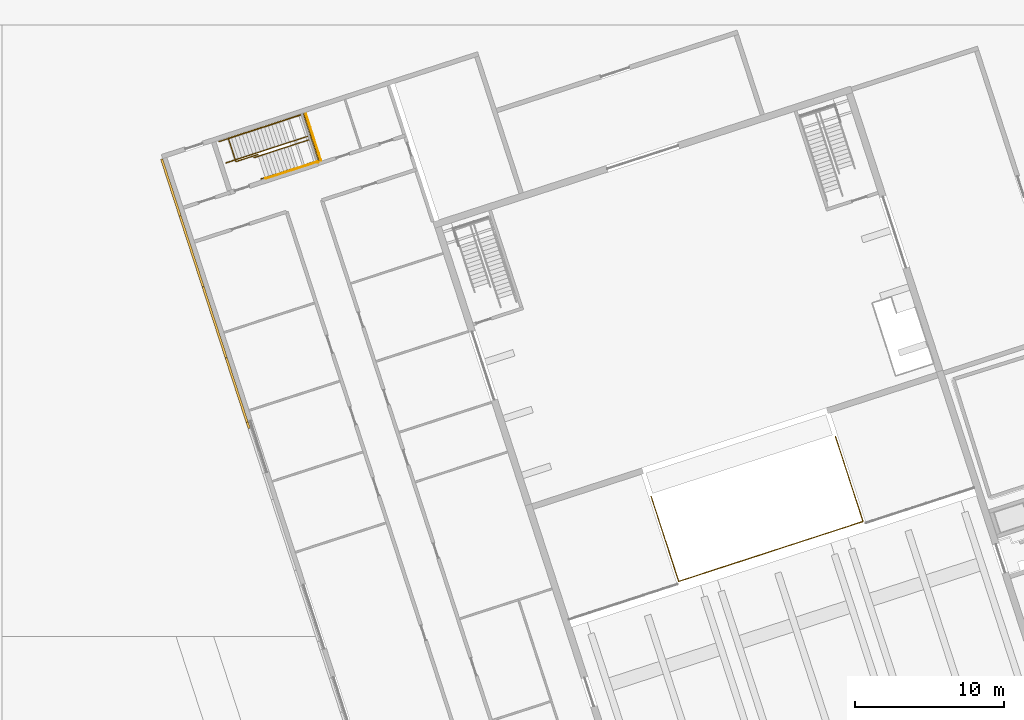
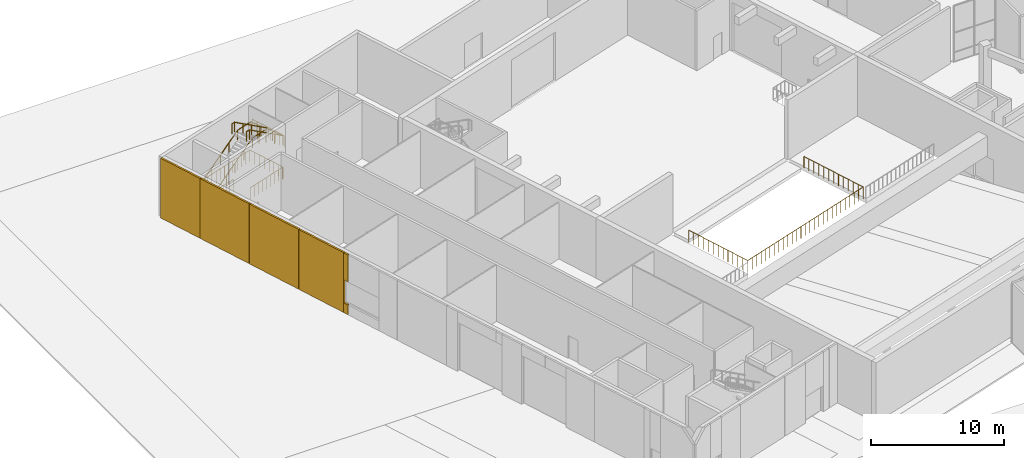
# One storey, part 66 of 72: 6 coverings, 6 railings.
"""IFC4 building model written with IfcOpenShell, lengths in metres."""

from ifc_helpers import new_model, si_unit, direction, frame, origin, origin_2d, place, context, subcontext, project, spatial, polyline, circle, outline, extrude, material, layer, layer_set, type_object, element, save


model = new_model("IFC4")

# Units and contexts
model_context = context("Model", 3, precision=1e-05, world=origin(), true_north=direction((0.0, 1.0)))
body_context = subcontext(model_context, "Body", "Model", "MODEL_VIEW")
ifc_project = project(units=[si_unit("LENGTHUNIT", "METRE"), si_unit("AREAUNIT", "SQUARE_METRE"), si_unit("VOLUMEUNIT", "CUBIC_METRE"), si_unit("PLANEANGLEUNIT", "RADIAN"), si_unit("MASSUNIT", "GRAM", prefix="KILO")], contexts=[model_context])

# Site, building, storey
site_placement = place(None, origin())
site = spatial("IfcSite", under=ifc_project, at=site_placement, CompositionType="ELEMENT")
building_placement = place(site_placement, origin())
building = spatial("IfcBuilding", under=site, at=building_placement, Name="Tuart Plaza Theatre", CompositionType="ELEMENT")
storey_placement = place(building_placement, origin())
storey = spatial("IfcBuildingStorey", under=building, at=storey_placement, Name="L00", CompositionType="ELEMENT", Elevation=0.0)

# Coverings
ifc_material_1 = material(Name="Zinc")
ifc_layer = layer(ifc_material_1, 0.14990234375)
ifc_layer_set = layer_set([ifc_layer], Name="COVERING-ZINC-RAINSCREEN150")
covering_type = type_object("IfcCoveringType", Name="COVERING-ZINC-RAINSCREEN150", PredefinedType="CLADDING", material=ifc_layer_set)
covering_1_placement = place(storey_placement, origin())
element("IfcCovering", 1, at=covering_1_placement, inside=storey, type_object=covering_type, Name="CL121", PredefinedType="CLADDING", context=body_context, shape_type="SweptSolid", body=[
    extrude(outline(polyline([(22.489501953125, 73.921142578125), (22.353515625, 74.339599609375), (22.49609375, 74.385986328125), (22.632080078125, 73.96728515625), (22.489501953125, 73.921142578125)])), origin(), (0.0, 0.0, 1.0), 0.89990234375),
])
covering_2_placement = place(storey_placement, frame((0.0, 0.0, 3.0)))
element("IfcCovering", 2, at=covering_2_placement, inside=storey, type_object=covering_type, Name="CL122", PredefinedType="CLADDING", context=body_context, shape_type="SweptSolid", body=[
    extrude(outline(polyline([(22.489501953125, 73.921142578125), (22.353515625, 74.339599609375), (22.49609375, 74.385986328125), (22.632080078125, 73.96728515625), (22.489501953125, 73.921142578125)])), origin(), (0.0, 0.0, 1.0), 2.5),
])
covering_3_placement = place(storey_placement, origin())
element("IfcCovering", 3, at=covering_3_placement, inside=storey, type_object=covering_type, Name="CL123", PredefinedType="CLADDING", context=body_context, shape_type="SweptSolid", body=[
    extrude(outline(polyline([(22.353515625, 74.339599609375), (20.950439453125, 78.6572265625), (21.093017578125, 78.70361328125), (22.49609375, 74.385986328125), (22.353515625, 74.339599609375)])), origin(), (0.0, 0.0, 1.0), 5.5),
])
covering_4_placement = place(storey_placement, origin())
element("IfcCovering", 4, at=covering_4_placement, inside=storey, type_object=covering_type, Name="CL124", PredefinedType="CLADDING", context=body_context, shape_type="SweptSolid", body=[
    extrude(outline(polyline([(20.9443359375, 78.676513671875), (19.405517578125, 83.41259765625), (19.548095703125, 83.458984375), (21.0869140625, 78.72265625), (20.9443359375, 78.676513671875)])), origin(), (0.0, 0.0, 1.0), 5.5),
])
covering_5_placement = place(storey_placement, origin())
element("IfcCovering", 5, at=covering_5_placement, inside=storey, type_object=covering_type, Name="CL125", PredefinedType="CLADDING", context=body_context, shape_type="SweptSolid", body=[
    extrude(outline(polyline([(19.399169921875, 83.431640625), (17.8603515625, 88.16796875), (18.0029296875, 88.21435546875), (19.5419921875, 83.47802734375), (19.399169921875, 83.431640625)])), origin(), (0.0, 0.0, 1.0), 5.5),
])
covering_6_placement = place(storey_placement, origin())
element("IfcCovering", 6, at=covering_6_placement, inside=storey, type_object=covering_type, Name="CL126", PredefinedType="CLADDING", context=body_context, shape_type="SweptSolid", body=[
    extrude(outline(polyline([(17.85400390625, 88.18701171875), (16.62109375, 91.981689453125), (16.763916015625, 92.028076171875), (17.996826171875, 88.2333984375), (17.85400390625, 88.18701171875)])), origin(), (0.0, 0.0, 1.0), 5.5),
])

# Railings
ifc_material_2 = material(Name="Steel Grade C350L0", Category="steel")
railing_type_1 = type_object("IfcRailingType", Name="RAILING Guard 1100", PredefinedType="GUARDRAIL", material=ifc_material_2)
railing_1_placement = place(storey_placement, frame((27.197265625, 91.79248046875, 0.0)))
element("IfcRailing", 7, at=railing_1_placement, inside=storey, type_object=railing_type_1, Name="GR22", PredefinedType="GUARDRAIL", context=body_context, shape_type="SweptSolid", body=[
    extrude(circle(Radius=0.02490234375, at=origin_2d()), frame((0.0, 0.0, 1.0751953125), z_axis=(-0.951570542877, -0.307430483083, 0.0), x_axis=(0.307430483083, -0.951570542877, 0.0)), (0.0, 0.0, 1.0), 0.050048828125),
    extrude(circle(Radius=0.02490234375, at=origin_2d()), frame((-0.047607421875, -0.015380859375, 1.0751953125), z_axis=(-0.310120496179, 0.950697258779, 0.0), x_axis=(-0.950697258779, -0.310120496179, 0.0)), (0.0, 0.0, 1.0), 0.048095703125),
    extrude(circle(Radius=0.02490234375, at=origin_2d()), frame((-0.0625, 0.0302734375, 1.0751953125), z_axis=(-0.9510439537, -0.309055655393, 0.0), x_axis=(0.309055655393, -0.9510439537, 0.0)), (0.0, 0.0, 1.0), 3.6298828125),
    extrude(circle(Radius=0.02490234375, at=origin_2d()), frame((-3.5146484375, -1.091552734375, 1.0751953125), z_axis=(-0.316227766017, 0.948683298051, 0.0), x_axis=(-0.948683298051, -0.316227766017, 0.0)), (0.0, 0.0, 1.0), 0.02001953125),
    extrude(circle(Radius=0.02001953125, at=origin_2d()), origin(), (0.0, 0.0, 1.0), 1.050048828125),
    extrude(circle(Radius=0.02001953125, at=origin_2d()), frame((-0.047607421875, -0.015380859375, 0.0)), (0.0, 0.0, 1.0), 1.050048828125),
    extrude(circle(Radius=0.02001953125, at=origin_2d()), frame((-0.0625, 0.0302734375, 0.0)), (0.0, 0.0, 1.0), 1.050048828125),
    extrude(circle(Radius=0.02001953125, at=origin_2d()), frame((-0.494140625, -0.10986328125, 0.0)), (0.0, 0.0, 1.0), 1.050048828125),
    extrude(circle(Radius=0.02001953125, at=origin_2d()), frame((-0.925537109375, -0.250244140625, 0.0)), (0.0, 0.0, 1.0), 1.050048828125),
    extrude(circle(Radius=0.02001953125, at=origin_2d()), frame((-1.35693359375, -0.390380859375, 0.0)), (0.0, 0.0, 1.0), 1.050048828125),
    extrude(circle(Radius=0.02001953125, at=origin_2d()), frame((-1.78857421875, -0.53076171875, 0.0)), (0.0, 0.0, 1.0), 1.050048828125),
    extrude(circle(Radius=0.02001953125, at=origin_2d()), frame((-2.22021484375, -0.6708984375, 0.0)), (0.0, 0.0, 1.0), 1.050048828125),
    extrude(circle(Radius=0.02001953125, at=origin_2d()), frame((-2.651611328125, -0.81103515625, 0.0)), (0.0, 0.0, 1.0), 1.050048828125),
    extrude(circle(Radius=0.02001953125, at=origin_2d()), frame((-3.0830078125, -0.951416015625, 0.0)), (0.0, 0.0, 1.0), 1.050048828125),
    extrude(circle(Radius=0.02001953125, at=origin_2d()), frame((-3.5146484375, -1.091552734375, 0.0)), (0.0, 0.0, 1.0), 1.050048828125),
    extrude(circle(Radius=0.02001953125, at=origin_2d()), frame((-3.52099609375, -1.072509765625, 0.0)), (0.0, 0.0, 1.0), 1.050048828125),
])
railing_2_placement = place(storey_placement, frame((23.15234375, 92.316162109375, 0.0)))
element("IfcRailing", 8, at=railing_2_placement, inside=storey, type_object=railing_type_1, Name="GR23", PredefinedType="GUARDRAIL", context=body_context, shape_type="SweptSolid", body=[
    extrude(circle(Radius=0.02490234375, at=origin_2d()), frame((0.0, 0.0, 1.0751953125), z_axis=(-0.951058297536, -0.309011512226, 0.0), x_axis=(0.309011512226, -0.951058297536, 0.0)), (0.0, 0.0, 1.0), 1.554931640625),
    extrude(circle(Radius=0.02490234375, at=origin_2d()), frame((-1.478759765625, -0.48046875, 1.0751953125), z_axis=(-0.309072690513, 0.95103841772, 0.0), x_axis=(-0.95103841772, -0.309072690513, 0.0)), (0.0, 0.0, 1.0), 1.650146484375),
    extrude(circle(Radius=0.02490234375, at=origin_2d()), frame((-1.98876953125, 1.0888671875, 1.0751953125), z_axis=(0.951050844106, 0.309034451034, 0.0), x_axis=(-0.309034451034, 0.951050844106, 0.0)), (0.0, 0.0, 1.0), 5.240234375),
    extrude(circle(Radius=0.02490234375, at=origin_2d()), frame((2.994873046875, 2.708251953125, 1.0751953125), z_axis=(0.308998348193, -0.951062574605, 0.0), x_axis=(0.951062574605, 0.308998348193, 0.0)), (0.0, 0.0, 1.0), 3.398193359375),
    extrude(circle(Radius=0.02001953125, at=origin_2d()), origin(), (0.0, 0.0, 1.0), 1.050048828125),
    extrude(circle(Radius=0.02001953125, at=origin_2d()), frame((-0.36962890625, -0.1201171875, 0.0)), (0.0, 0.0, 1.0), 1.050048828125),
    extrude(circle(Radius=0.02001953125, at=origin_2d()), frame((-0.7392578125, -0.240234375, 0.0)), (0.0, 0.0, 1.0), 1.050048828125),
    extrude(circle(Radius=0.02001953125, at=origin_2d()), frame((-1.109130859375, -0.3603515625, 0.0)), (0.0, 0.0, 1.0), 1.050048828125),
    extrude(circle(Radius=0.02001953125, at=origin_2d()), frame((-1.478759765625, -0.48046875, 0.0)), (0.0, 0.0, 1.0), 1.050048828125),
    extrude(circle(Radius=0.02001953125, at=origin_2d()), frame((-1.606201171875, -0.088134765625, 0.0)), (0.0, 0.0, 1.0), 1.050048828125),
    extrude(circle(Radius=0.02001953125, at=origin_2d()), frame((-1.73388671875, 0.30419921875, 0.0)), (0.0, 0.0, 1.0), 1.050048828125),
    extrude(circle(Radius=0.02001953125, at=origin_2d()), frame((-1.861328125, 0.696533203125, 0.0)), (0.0, 0.0, 1.0), 1.050048828125),
    extrude(circle(Radius=0.02001953125, at=origin_2d()), frame((-1.98876953125, 1.0888671875, 0.0)), (0.0, 0.0, 1.0), 1.050048828125),
    extrude(circle(Radius=0.02001953125, at=origin_2d()), frame((-1.53564453125, 1.236083984375, 0.0)), (0.0, 0.0, 1.0), 1.050048828125),
    extrude(circle(Radius=0.02001953125, at=origin_2d()), frame((-1.082763671875, 1.38330078125, 0.0)), (0.0, 0.0, 1.0), 1.050048828125),
    extrude(circle(Radius=0.02001953125, at=origin_2d()), frame((-0.629638671875, 1.530517578125, 0.0)), (0.0, 0.0, 1.0), 1.050048828125),
    extrude(circle(Radius=0.02001953125, at=origin_2d()), frame((-0.176513671875, 1.677734375, 0.0)), (0.0, 0.0, 1.0), 1.050048828125),
    extrude(circle(Radius=0.02001953125, at=origin_2d()), frame((0.276611328125, 1.824951171875, 0.0)), (0.0, 0.0, 1.0), 1.050048828125),
    extrude(circle(Radius=0.02001953125, at=origin_2d()), frame((0.7294921875, 1.97216796875, 0.0)), (0.0, 0.0, 1.0), 1.050048828125),
    extrude(circle(Radius=0.02001953125, at=origin_2d()), frame((1.1826171875, 2.119384765625, 0.0)), (0.0, 0.0, 1.0), 1.050048828125),
    extrude(circle(Radius=0.02001953125, at=origin_2d()), frame((1.6357421875, 2.2666015625, 0.0)), (0.0, 0.0, 1.0), 1.050048828125),
    extrude(circle(Radius=0.02001953125, at=origin_2d()), frame((2.0888671875, 2.413818359375, 0.0)), (0.0, 0.0, 1.0), 1.050048828125),
    extrude(circle(Radius=0.02001953125, at=origin_2d()), frame((2.541748046875, 2.56103515625, 0.0)), (0.0, 0.0, 1.0), 1.050048828125),
    extrude(circle(Radius=0.02001953125, at=origin_2d()), frame((2.994873046875, 2.708251953125, 0.0)), (0.0, 0.0, 1.0), 1.050048828125),
    extrude(circle(Radius=0.02001953125, at=origin_2d()), frame((3.144775390625, 2.24658203125, 0.0)), (0.0, 0.0, 1.0), 1.050048828125),
    extrude(circle(Radius=0.02001953125, at=origin_2d()), frame((3.294921875, 1.784912109375, 0.0)), (0.0, 0.0, 1.0), 1.050048828125),
    extrude(circle(Radius=0.02001953125, at=origin_2d()), frame((3.44482421875, 1.3232421875, 0.0)), (0.0, 0.0, 1.0), 1.050048828125),
    extrude(circle(Radius=0.02001953125, at=origin_2d()), frame((3.594970703125, 0.861328125, 0.0)), (0.0, 0.0, 1.0), 1.050048828125),
    extrude(circle(Radius=0.02001953125, at=origin_2d()), frame((3.744873046875, 0.399658203125, 0.0)), (0.0, 0.0, 1.0), 1.050048828125),
    extrude(circle(Radius=0.02001953125, at=origin_2d()), frame((3.89501953125, -0.06201171875, 0.0)), (0.0, 0.0, 1.0), 1.050048828125),
    extrude(circle(Radius=0.02001953125, at=origin_2d()), frame((4.044921875, -0.523681640625, 0.0)), (0.0, 0.0, 1.0), 1.050048828125),
])
railing_3_placement = place(storey_placement, frame((26.368408203125, 95.0224609375, 2.75)))
element("IfcRailing", 9, at=railing_3_placement, inside=storey, type_object=railing_type_1, Name="GR27", PredefinedType="GUARDRAIL", context=body_context, shape_type="SweptSolid", body=[
    extrude(circle(Radius=0.02490234375, at=origin_2d()), frame((0.0, 0.0, 1.0751953125), z_axis=(0.30904027743, -0.951048950857, 0.0), x_axis=(0.951048950857, 0.30904027743, 0.0)), (0.0, 0.0, 1.0), 3.2548828125),
    extrude(circle(Radius=0.02001953125, at=origin_2d()), origin(), (0.0, 0.0, 1.0), 1.050048828125),
    extrude(circle(Radius=0.02001953125, at=origin_2d()), frame((0.143798828125, -0.442138671875, 0.0)), (0.0, 0.0, 1.0), 1.050048828125),
    extrude(circle(Radius=0.02001953125, at=origin_2d()), frame((0.287353515625, -0.884521484375, 0.0)), (0.0, 0.0, 1.0), 1.050048828125),
    extrude(circle(Radius=0.02001953125, at=origin_2d()), frame((0.43115234375, -1.32666015625, 0.0)), (0.0, 0.0, 1.0), 1.050048828125),
    extrude(circle(Radius=0.02001953125, at=origin_2d()), frame((0.57470703125, -1.768798828125, 0.0)), (0.0, 0.0, 1.0), 1.050048828125),
    extrude(circle(Radius=0.02001953125, at=origin_2d()), frame((0.718505859375, -2.2109375, 0.0)), (0.0, 0.0, 1.0), 1.050048828125),
    extrude(circle(Radius=0.02001953125, at=origin_2d()), frame((0.862060546875, -2.6533203125, 0.0)), (0.0, 0.0, 1.0), 1.050048828125),
    extrude(circle(Radius=0.02001953125, at=origin_2d()), frame((1.005859375, -3.095458984375, 0.0)), (0.0, 0.0, 1.0), 1.050048828125),
])
railing_4_placement = place(storey_placement, frame((49.51220703125, 69.389892578125, 0.0)))
element("IfcRailing", 10, at=railing_4_placement, inside=storey, type_object=railing_type_1, Name="GR112", PredefinedType="GUARDRAIL", context=body_context, shape_type="SweptSolid", body=[
    extrude(circle(Radius=0.02490234375, at=origin_2d()), frame((0.0, 0.0, 1.0751953125), z_axis=(0.309004184009, -0.95106067854, 0.0), x_axis=(0.95106067854, 0.309004184009, 0.0)), (0.0, 0.0, 1.0), 6.0),
    extrude(circle(Radius=0.02490234375, at=origin_2d()), frame((1.85400390625, -5.706298828125, 1.0751953125), z_axis=(0.951059735424, 0.30900708674, 0.0), x_axis=(-0.30900708674, 0.951059735424, 0.0)), (0.0, 0.0, 1.0), 13.0),
    extrude(circle(Radius=0.02490234375, at=origin_2d()), frame((14.2177734375, -1.689208984375, 1.0751953125), z_axis=(-0.309004184009, 0.95106067854, 0.0), x_axis=(-0.95106067854, -0.309004184009, 0.0)), (0.0, 0.0, 1.0), 6.0),
    extrude(circle(Radius=0.02001953125, at=origin_2d()), origin(), (0.0, 0.0, 1.0), 1.050048828125),
    extrude(circle(Radius=0.02001953125, at=origin_2d()), frame((0.154541015625, -0.4755859375, 0.0)), (0.0, 0.0, 1.0), 1.050048828125),
    extrude(circle(Radius=0.02001953125, at=origin_2d()), frame((0.30908203125, -0.951171875, 0.0)), (0.0, 0.0, 1.0), 1.050048828125),
    extrude(circle(Radius=0.02001953125, at=origin_2d()), frame((0.46337890625, -1.426513671875, 0.0)), (0.0, 0.0, 1.0), 1.050048828125),
    extrude(circle(Radius=0.02001953125, at=origin_2d()), frame((0.617919921875, -1.902099609375, 0.0)), (0.0, 0.0, 1.0), 1.050048828125),
    extrude(circle(Radius=0.02001953125, at=origin_2d()), frame((0.7724609375, -2.377685546875, 0.0)), (0.0, 0.0, 1.0), 1.050048828125),
    extrude(circle(Radius=0.02001953125, at=origin_2d()), frame((0.927001953125, -2.85302734375, 0.0)), (0.0, 0.0, 1.0), 1.050048828125),
    extrude(circle(Radius=0.02001953125, at=origin_2d()), frame((1.08154296875, -3.32861328125, 0.0)), (0.0, 0.0, 1.0), 1.050048828125),
    extrude(circle(Radius=0.02001953125, at=origin_2d()), frame((1.236083984375, -3.80419921875, 0.0)), (0.0, 0.0, 1.0), 1.050048828125),
    extrude(circle(Radius=0.02001953125, at=origin_2d()), frame((1.390625, -4.27978515625, 0.0)), (0.0, 0.0, 1.0), 1.050048828125),
    extrude(circle(Radius=0.02001953125, at=origin_2d()), frame((1.544921875, -4.75537109375, 0.0)), (0.0, 0.0, 1.0), 1.050048828125),
    extrude(circle(Radius=0.02001953125, at=origin_2d()), frame((1.699462890625, -5.230712890625, 0.0)), (0.0, 0.0, 1.0), 1.050048828125),
    extrude(circle(Radius=0.02001953125, at=origin_2d()), frame((1.85400390625, -5.706298828125, 0.0)), (0.0, 0.0, 1.0), 1.050048828125),
    extrude(circle(Radius=0.02001953125, at=origin_2d()), frame((2.32958984375, -5.5517578125, 0.0)), (0.0, 0.0, 1.0), 1.050048828125),
    extrude(circle(Radius=0.02001953125, at=origin_2d()), frame((2.80517578125, -5.397216796875, 0.0)), (0.0, 0.0, 1.0), 1.050048828125),
    extrude(circle(Radius=0.02001953125, at=origin_2d()), frame((3.280517578125, -5.24267578125, 0.0)), (0.0, 0.0, 1.0), 1.050048828125),
    extrude(circle(Radius=0.02001953125, at=origin_2d()), frame((3.756103515625, -5.08837890625, 0.0)), (0.0, 0.0, 1.0), 1.050048828125),
    extrude(circle(Radius=0.02001953125, at=origin_2d()), frame((4.231689453125, -4.933837890625, 0.0)), (0.0, 0.0, 1.0), 1.050048828125),
    extrude(circle(Radius=0.02001953125, at=origin_2d()), frame((4.707275390625, -4.779296875, 0.0)), (0.0, 0.0, 1.0), 1.050048828125),
    extrude(circle(Radius=0.02001953125, at=origin_2d()), frame((5.1826171875, -4.624755859375, 0.0)), (0.0, 0.0, 1.0), 1.050048828125),
    extrude(circle(Radius=0.02001953125, at=origin_2d()), frame((5.658203125, -4.47021484375, 0.0)), (0.0, 0.0, 1.0), 1.050048828125),
    extrude(circle(Radius=0.02001953125, at=origin_2d()), frame((6.1337890625, -4.315673828125, 0.0)), (0.0, 0.0, 1.0), 1.050048828125),
    extrude(circle(Radius=0.02001953125, at=origin_2d()), frame((6.609375, -4.161376953125, 0.0)), (0.0, 0.0, 1.0), 1.050048828125),
    extrude(circle(Radius=0.02001953125, at=origin_2d()), frame((7.084716796875, -4.0068359375, 0.0)), (0.0, 0.0, 1.0), 1.050048828125),
    extrude(circle(Radius=0.02001953125, at=origin_2d()), frame((7.560302734375, -3.852294921875, 0.0)), (0.0, 0.0, 1.0), 1.050048828125),
    extrude(circle(Radius=0.02001953125, at=origin_2d()), frame((8.035888671875, -3.69775390625, 0.0)), (0.0, 0.0, 1.0), 1.050048828125),
    extrude(circle(Radius=0.02001953125, at=origin_2d()), frame((8.511474609375, -3.543212890625, 0.0)), (0.0, 0.0, 1.0), 1.050048828125),
    extrude(circle(Radius=0.02001953125, at=origin_2d()), frame((8.987060546875, -3.388671875, 0.0)), (0.0, 0.0, 1.0), 1.050048828125),
    extrude(circle(Radius=0.02001953125, at=origin_2d()), frame((9.46240234375, -3.234130859375, 0.0)), (0.0, 0.0, 1.0), 1.050048828125),
    extrude(circle(Radius=0.02001953125, at=origin_2d()), frame((9.93798828125, -3.079833984375, 0.0)), (0.0, 0.0, 1.0), 1.050048828125),
    extrude(circle(Radius=0.02001953125, at=origin_2d()), frame((10.41357421875, -2.92529296875, 0.0)), (0.0, 0.0, 1.0), 1.050048828125),
    extrude(circle(Radius=0.02001953125, at=origin_2d()), frame((10.88916015625, -2.770751953125, 0.0)), (0.0, 0.0, 1.0), 1.050048828125),
    extrude(circle(Radius=0.02001953125, at=origin_2d()), frame((11.364501953125, -2.6162109375, 0.0)), (0.0, 0.0, 1.0), 1.050048828125),
    extrude(circle(Radius=0.02001953125, at=origin_2d()), frame((11.840087890625, -2.461669921875, 0.0)), (0.0, 0.0, 1.0), 1.050048828125),
    extrude(circle(Radius=0.02001953125, at=origin_2d()), frame((12.315673828125, -2.30712890625, 0.0)), (0.0, 0.0, 1.0), 1.050048828125),
    extrude(circle(Radius=0.02001953125, at=origin_2d()), frame((12.791259765625, -2.15283203125, 0.0)), (0.0, 0.0, 1.0), 1.050048828125),
    extrude(circle(Radius=0.02001953125, at=origin_2d()), frame((13.2666015625, -1.998291015625, 0.0)), (0.0, 0.0, 1.0), 1.050048828125),
    extrude(circle(Radius=0.02001953125, at=origin_2d()), frame((13.7421875, -1.84375, 0.0)), (0.0, 0.0, 1.0), 1.050048828125),
    extrude(circle(Radius=0.02001953125, at=origin_2d()), frame((14.2177734375, -1.689208984375, 0.0)), (0.0, 0.0, 1.0), 1.050048828125),
    extrude(circle(Radius=0.02001953125, at=origin_2d()), frame((14.063232421875, -1.213623046875, 0.0)), (0.0, 0.0, 1.0), 1.050048828125),
    extrude(circle(Radius=0.02001953125, at=origin_2d()), frame((13.90869140625, -0.73828125, 0.0)), (0.0, 0.0, 1.0), 1.050048828125),
    extrude(circle(Radius=0.02001953125, at=origin_2d()), frame((13.75439453125, -0.2626953125, 0.0)), (0.0, 0.0, 1.0), 1.050048828125),
    extrude(circle(Radius=0.02001953125, at=origin_2d()), frame((13.599853515625, 0.212890625, 0.0)), (0.0, 0.0, 1.0), 1.050048828125),
    extrude(circle(Radius=0.02001953125, at=origin_2d()), frame((13.4453125, 0.6884765625, 0.0)), (0.0, 0.0, 1.0), 1.050048828125),
    extrude(circle(Radius=0.02001953125, at=origin_2d()), frame((13.290771484375, 1.1640625, 0.0)), (0.0, 0.0, 1.0), 1.050048828125),
    extrude(circle(Radius=0.02001953125, at=origin_2d()), frame((13.13623046875, 1.639404296875, 0.0)), (0.0, 0.0, 1.0), 1.050048828125),
    extrude(circle(Radius=0.02001953125, at=origin_2d()), frame((12.981689453125, 2.114990234375, 0.0)), (0.0, 0.0, 1.0), 1.050048828125),
    extrude(circle(Radius=0.02001953125, at=origin_2d()), frame((12.8271484375, 2.590576171875, 0.0)), (0.0, 0.0, 1.0), 1.050048828125),
    extrude(circle(Radius=0.02001953125, at=origin_2d()), frame((12.6728515625, 3.06591796875, 0.0)), (0.0, 0.0, 1.0), 1.050048828125),
    extrude(circle(Radius=0.02001953125, at=origin_2d()), frame((12.518310546875, 3.54150390625, 0.0)), (0.0, 0.0, 1.0), 1.050048828125),
    extrude(circle(Radius=0.02001953125, at=origin_2d()), frame((12.36376953125, 4.01708984375, 0.0)), (0.0, 0.0, 1.0), 1.050048828125),
])
ifc_material_3 = material(Name="Steel Grade C350L0", Category="steel")
railing_type_2 = type_object("IfcRailingType", Name="RAILING Handrail 900", PredefinedType="HANDRAIL", material=ifc_material_3)
railing_5_placement = place(storey_placement, frame((21.007080078125, 91.750732421875, 0.0)))
element("IfcRailing", 11, at=railing_5_placement, inside=storey, type_object=railing_type_2, Name="HR17", PredefinedType="HANDRAIL", context=body_context, shape_type="SweptSolid", body=[
    extrude(circle(Radius=0.0224609375, at=origin_2d()), frame((0.0, 0.0, 0.87744140625), z_axis=(0.914374294295, 0.29683921701, 0.275329128821), x_axis=(-0.308773297186, 0.951135663796, 0.0)), (0.0, 0.0, 1.0), 0.624267578125),
    extrude(circle(Radius=0.0224609375, at=origin_2d()), frame((0.57080078125, 0.185302734375, 1.04931640625), z_axis=(0.793357104498, 0.257820170149, 0.551464653996), x_axis=(-0.309063423897, 0.951041429176, 0.0)), (0.0, 0.0, 1.0), 4.675048828125),
    extrude(circle(Radius=0.0224609375, at=origin_2d()), frame((4.27978515625, 1.390625, 3.62744140625), z_axis=(0.951096241278, 0.308894706699, 0.0), x_axis=(-0.308894706699, 0.951096241278, 0.0)), (0.0, 0.0, 1.0), 1.5),
    extrude(circle(Radius=0.0224609375, at=origin_2d()), frame((5.70654296875, 1.85400390625, 3.62744140625), z_axis=(0.223492848937, -0.688867198939, 0.68957445479), x_axis=(0.951191832008, 0.308600224758, 0.0)), (0.0, 0.0, 1.0), 0.34521484375),
    extrude(circle(Radius=0.0224609375, at=origin_2d()), frame((5.78369140625, 1.6162109375, 3.865478515625), z_axis=(-0.793388668441, -0.257745464199, 0.551454165344), x_axis=(0.308971301611, -0.951071361561, 0.0)), (0.0, 0.0, 1.0), 4.55517578125),
    extrude(circle(Radius=0.0224609375, at=origin_2d()), frame((2.169677734375, 0.442138671875, 6.37744140625), z_axis=(-0.951016131768, -0.309141257546, 0.0), x_axis=(0.309141257546, -0.951016131768, 0.0)), (0.0, 0.0, 1.0), 0.300048828125),
    extrude(circle(Radius=0.01513671875, at=origin_2d()), origin(), (0.0, 0.0, 1.0), 0.85498046875),
    extrude(circle(Radius=0.01513671875, at=origin_2d()), frame((0.57080078125, 0.185302734375, 0.171875)), (0.0, 0.0, 1.0), 0.85498046875),
    extrude(circle(Radius=0.01513671875, at=origin_2d()), frame((1.498046875, 0.486572265625, 0.81640625)), (0.0, 0.0, 1.0), 0.85498046875),
    extrude(circle(Radius=0.01513671875, at=origin_2d()), frame((2.42529296875, 0.7880859375, 1.4609375)), (0.0, 0.0, 1.0), 0.85498046875),
    extrude(circle(Radius=0.01513671875, at=origin_2d()), frame((3.3525390625, 1.08935546875, 2.10546875)), (0.0, 0.0, 1.0), 0.85498046875),
    extrude(circle(Radius=0.01513671875, at=origin_2d()), frame((4.27978515625, 1.390625, 2.75)), (0.0, 0.0, 1.0), 0.85498046875),
    extrude(circle(Radius=0.01513671875, at=origin_2d()), frame((4.9931640625, 1.622314453125, 2.75)), (0.0, 0.0, 1.0), 0.85498046875),
    extrude(circle(Radius=0.01513671875, at=origin_2d()), frame((5.70654296875, 1.85400390625, 2.75)), (0.0, 0.0, 1.0), 0.85498046875),
    extrude(circle(Radius=0.01513671875, at=origin_2d()), frame((5.78369140625, 1.6162109375, 2.988037109375)), (0.0, 0.0, 1.0), 0.85498046875),
    extrude(circle(Radius=0.01513671875, at=origin_2d()), frame((4.880126953125, 1.32275390625, 3.615966796875)), (0.0, 0.0, 1.0), 0.85498046875),
    extrude(circle(Radius=0.01513671875, at=origin_2d()), frame((3.9765625, 1.029296875, 4.244140625)), (0.0, 0.0, 1.0), 0.85498046875),
    extrude(circle(Radius=0.01513671875, at=origin_2d()), frame((3.0732421875, 0.735595703125, 4.8720703125)), (0.0, 0.0, 1.0), 0.85498046875),
    extrude(circle(Radius=0.01513671875, at=origin_2d()), frame((2.169677734375, 0.442138671875, 5.5)), (0.0, 0.0, 1.0), 0.85498046875),
    extrude(circle(Radius=0.01513671875, at=origin_2d()), frame((1.88427734375, 0.349365234375, 5.5)), (0.0, 0.0, 1.0), 0.85498046875),
])
railing_6_placement = place(storey_placement, frame((20.543701171875, 93.17724609375, 0.0)))
element("IfcRailing", 12, at=railing_6_placement, inside=storey, type_object=railing_type_2, Name="HR18", PredefinedType="HANDRAIL", context=body_context, shape_type="SweptSolid", body=[
    extrude(circle(Radius=0.0224609375, at=origin_2d()), frame((0.0, 0.0, 0.87744140625), z_axis=(0.914203881024, 0.29730207513, 0.275395606436), x_axis=(-0.309260889552, 0.950977235371, 0.0)), (0.0, 0.0, 1.0), 0.6240234375),
    extrude(circle(Radius=0.0224609375, at=origin_2d()), frame((0.570556640625, 0.185546875, 1.04931640625), z_axis=(0.793387136156, 0.257760738766, 0.551449230422), x_axis=(-0.308988403611, 0.951065805522, 0.0)), (0.0, 0.0, 1.0), 4.67529296875),
    extrude(circle(Radius=0.0224609375, at=origin_2d()), frame((4.27978515625, 1.390625, 3.62744140625), z_axis=(0.951032872603, 0.309089752708, 0.0), x_axis=(-0.309089752708, 0.951032872603, 0.0)), (0.0, 0.0, 1.0), 1.5),
    extrude(circle(Radius=0.0224609375, at=origin_2d()), frame((5.706298828125, 1.854248046875, 3.62744140625), z_axis=(0.308204534717, -0.948511816737, 0.073043126239), x_axis=(0.951052283617, 0.309030020915, 0.0)), (0.0, 0.0, 1.0), 3.2587890625),
    extrude(circle(Radius=0.0224609375, at=origin_2d()), frame((6.710693359375, -1.23681640625, 3.865478515625), z_axis=(-0.793377707459, -0.25779549908, 0.551446546784), x_axis=(0.309029415059, -0.951052480481, 0.0)), (0.0, 0.0, 1.0), 4.55517578125),
    extrude(circle(Radius=0.0224609375, at=origin_2d()), frame((3.0966796875, -2.4111328125, 6.37744140625), z_axis=(-0.951255083436, -0.308405198137, 0.0), x_axis=(0.308405198137, -0.951255083436, 0.0)), (0.0, 0.0, 1.0), 0.300048828125),
    extrude(circle(Radius=0.01513671875, at=origin_2d()), origin(), (0.0, 0.0, 1.0), 0.85498046875),
    extrude(circle(Radius=0.01513671875, at=origin_2d()), frame((0.570556640625, 0.185546875, 0.171875)), (0.0, 0.0, 1.0), 0.85498046875),
    extrude(circle(Radius=0.01513671875, at=origin_2d()), frame((1.497802734375, 0.48681640625, 0.81640625)), (0.0, 0.0, 1.0), 0.85498046875),
    extrude(circle(Radius=0.01513671875, at=origin_2d()), frame((2.42529296875, 0.7880859375, 1.4609375)), (0.0, 0.0, 1.0), 0.85498046875),
    extrude(circle(Radius=0.01513671875, at=origin_2d()), frame((3.3525390625, 1.08935546875, 2.10546875)), (0.0, 0.0, 1.0), 0.85498046875),
    extrude(circle(Radius=0.01513671875, at=origin_2d()), frame((4.27978515625, 1.390625, 2.75)), (0.0, 0.0, 1.0), 0.85498046875),
    extrude(circle(Radius=0.01513671875, at=origin_2d()), frame((5.706298828125, 1.854248046875, 2.75)), (0.0, 0.0, 1.0), 0.85498046875),
    extrude(circle(Radius=0.01513671875, at=origin_2d()), frame((6.041015625, 0.823974609375, 2.829345703125)), (0.0, 0.0, 1.0), 0.85498046875),
    extrude(circle(Radius=0.01513671875, at=origin_2d()), frame((6.3759765625, -0.20654296875, 2.90869140625)), (0.0, 0.0, 1.0), 0.85498046875),
    extrude(circle(Radius=0.01513671875, at=origin_2d()), frame((6.710693359375, -1.23681640625, 2.988037109375)), (0.0, 0.0, 1.0), 0.85498046875),
    extrude(circle(Radius=0.01513671875, at=origin_2d()), frame((5.80712890625, -1.5302734375, 3.615966796875)), (0.0, 0.0, 1.0), 0.85498046875),
    extrude(circle(Radius=0.01513671875, at=origin_2d()), frame((4.90380859375, -1.823974609375, 4.244140625)), (0.0, 0.0, 1.0), 0.85498046875),
    extrude(circle(Radius=0.01513671875, at=origin_2d()), frame((4.000244140625, -2.11767578125, 4.8720703125)), (0.0, 0.0, 1.0), 0.85498046875),
    extrude(circle(Radius=0.01513671875, at=origin_2d()), frame((3.0966796875, -2.4111328125, 5.5)), (0.0, 0.0, 1.0), 0.85498046875),
    extrude(circle(Radius=0.01513671875, at=origin_2d()), frame((2.811279296875, -2.503662109375, 5.5)), (0.0, 0.0, 1.0), 0.85498046875),
])

save(model, "model.ifc")
